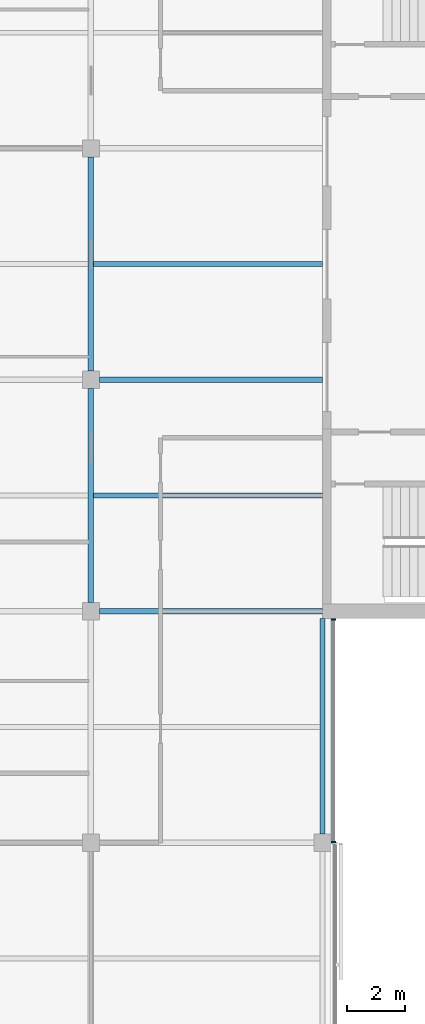
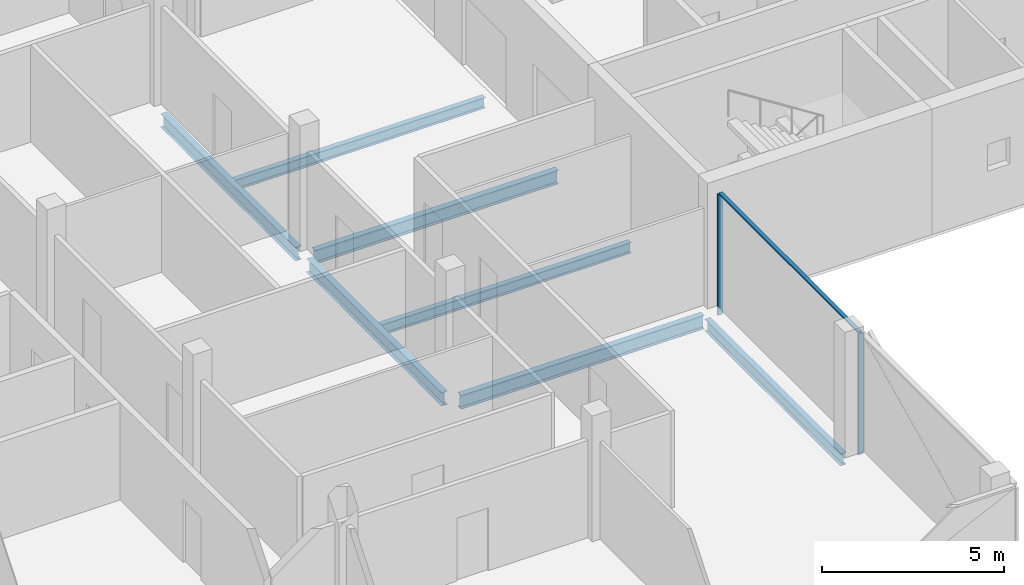
# One storey, part 4 of 16: 7 beams, 3 members, 1 element without a shape of its own.
"""IFC4 building model written with IfcOpenShell, lengths in metres."""

from ifc_helpers import new_model, si_unit, direction, frame, origin, origin_2d, place, context, subcontext, project, spatial, rectangle, i_section, extrude, material, material_profile, profile_set, type_object, element, aggregate, save


model = new_model("IFC4")

# Units and contexts
model_context = context("Model", 3, precision=1e-05, world=origin(), true_north=direction((0.0, 1.0)))
body_context = subcontext(model_context, "Body", "Model", "MODEL_VIEW")
ifc_project = project(units=[si_unit("LENGTHUNIT", "METRE"), si_unit("AREAUNIT", "SQUARE_METRE"), si_unit("VOLUMEUNIT", "CUBIC_METRE"), si_unit("PLANEANGLEUNIT", "RADIAN"), si_unit("MASSUNIT", "GRAM", prefix="KILO")], contexts=[model_context])

# Site, building, storey
site_placement = place(None, origin())
site = spatial("IfcSite", under=ifc_project, at=site_placement, CompositionType="ELEMENT")
building_placement = place(site_placement, origin())
building = spatial("IfcBuilding", under=site, at=building_placement, Name="Crosswind Convention Tower", CompositionType="ELEMENT")
storey_placement = place(building_placement, frame((0.0, 0.0, 299.699951171875)))
storey = spatial("IfcBuildingStorey", under=building, at=storey_placement, Name="L65", CompositionType="ELEMENT", Elevation=299.699951171875)

# Beams
ifc_material_1 = material(Name="Steel S355", Category="steel")
ifc_material_profile_1 = material_profile(ifc_material_1, i_section(OverallWidth=0.177734375, OverallDepth=0.406494140625, WebThickness=0.0078125, FlangeThickness=0.0126953125, FilletRadius=0.01025390625, at=origin_2d()), Name="UB 406x178x60")
ifc_profile_set_1 = profile_set([ifc_material_profile_1], Name="Steel S355")
beam_type_1 = type_object("IfcBeamType", Name="Edge beam UB 406x178x60", PredefinedType="SPANDREL", material=ifc_profile_set_1)
beam_placement = place(storey_placement, frame((137.0, 80.300048828125, -0.503173828125), z_axis=(0.0, 1.0, 0.0), x_axis=(-1.0, 0.0, 0.0)))
element("IfcBeam", 1, at=beam_placement, inside=storey, type_object=beam_type_1, Name="B15 L65 edge beam 12", PredefinedType="SPANDREL", context=body_context, shape_type="SweptSolid", body=[
    extrude(i_section(OverallWidth=0.177734375, OverallDepth=0.406494140625, WebThickness=0.0078125, FlangeThickness=0.0126953125, FilletRadius=0.01025390625, at=origin_2d()), origin(), (0.0, 0.0, 1.0), 7.449951171875),
])
ifc_material_profile_2 = material_profile(ifc_material_1, i_section(OverallWidth=0.18994140625, OverallDepth=0.45361328125, WebThickness=0.008544921875, FlangeThickness=0.0126953125, FilletRadius=0.01025390625, at=origin_2d()), Name="UB 457x191x67")
ifc_profile_set_2 = profile_set([ifc_material_profile_2], Name="Steel S355")
beam_type_2 = type_object("IfcBeamType", Name="Girder UB 457x191x67", PredefinedType="BEAM", material=ifc_profile_set_2)
for number, where, z_axis, x_axis, name in (
    (2, (129.0, 88.300048828125, -0.52685546875), (0.0, 1.0, 0.0), (-1.0, 0.0, 0.0), "B1 L65 girder 18"),
    (3, (129.0, 96.300048828125, -0.52685546875), (0.0, 1.0, 0.0), (-1.0, 0.0, 0.0), "B1 L65 girder 19"),
):
    element("IfcBeam", number, at=place(storey_placement, frame(where, z_axis=z_axis, x_axis=x_axis)), inside=storey, type_object=beam_type_2, Name=name, PredefinedType="BEAM", context=body_context, shape_type="SweptSolid", body=[
        extrude(i_section(OverallWidth=0.18994140625, OverallDepth=0.45361328125, WebThickness=0.008544921875, FlangeThickness=0.0126953125, FilletRadius=0.01025390625, at=origin_2d()), origin(), (0.0, 0.0, 1.0), 7.39990234375),
    ])
ifc_material_profile_3 = material_profile(ifc_material_1, i_section(OverallWidth=0.1904296875, OverallDepth=0.457275390625, WebThickness=0.009033203125, FlangeThickness=0.014404296875, FilletRadius=0.01025390625, at=origin_2d()), Name="UB 457x191x75")
ifc_profile_set_3 = profile_set([ifc_material_profile_3], Name="Steel S355")
beam_type_3 = type_object("IfcBeamType", Name="Girder at core wall UB 457x191x75", PredefinedType="BEAM", material=ifc_profile_set_3)
for number, where, z_axis, x_axis, name in (
    (4, (129.300048828125, 88.0, -0.528564453125), (1.0, 0.0, 0.0), (0.0, 1.0, 0.0), "B22 L65 girder at core wall 5"),
    (5, (129.300048828125, 96.0, -0.528564453125), (1.0, 0.0, 0.0), (0.0, 1.0, 0.0), "B22 L65 girder at core wall 6"),
):
    element("IfcBeam", number, at=place(storey_placement, frame(where, z_axis=z_axis, x_axis=x_axis)), inside=storey, type_object=beam_type_3, Name=name, PredefinedType="BEAM", context=body_context, shape_type="SweptSolid", body=[
        extrude(i_section(OverallWidth=0.1904296875, OverallDepth=0.457275390625, WebThickness=0.009033203125, FlangeThickness=0.014404296875, FilletRadius=0.01025390625, at=origin_2d()), origin(), (0.0, 0.0, 1.0), 7.699951171875),
    ])

# Curtain wall, members
ifc_material_2 = material(Name="Aluminium unitised curtain wall", Category="aluminium")
curtain_wall_type = type_object("IfcCurtainWallType", Name="CORE END SLOT WALL 160", PredefinedType="USERDEFINED", material=ifc_material_2)
curtain_wall_placement = place(storey_placement, origin())
curtain_wall = element("IfcCurtainWall", 6, at=curtain_wall_placement, inside=storey, type_object=curtain_wall_type, Name="CW6 L65 S-E.1-2 slot", ObjectType="UNITISED", PredefinedType="USERDEFINED")
ifc_material_3 = material(Name="Aluminium mullion", Category="aluminium")
ifc_material_profile_4 = material_profile(ifc_material_3, rectangle(XDim=0.159912109375, YDim=0.050048828125, at=origin_2d()), Name="AL 160X50")
ifc_profile_set_4 = profile_set([ifc_material_profile_4], Name="Aluminium mullion")
member_type_1 = type_object("IfcMemberType", Name="MULLION 50X160", PredefinedType="MULLION", material=ifc_profile_set_4)
member_1_placement = place(storey_placement, frame((137.3798828125, 80.02490234375, -0.300048828125), z_axis=(0.0, 0.0, 1.0), x_axis=(1.0, 0.0, 0.0)))
member_1 = element("IfcMember", 7, at=member_1_placement, type_object=member_type_1, Name="CW6 mullion 1", PredefinedType="MULLION", context=body_context, shape_type="SweptSolid", body=[
    extrude(rectangle(XDim=0.159912109375, YDim=0.050048828125, at=origin_2d()), origin(), (0.0, 0.0, 1.0), 4.050048828125),
])
member_2_placement = place(storey_placement, frame((137.3798828125, 87.72509765625, -0.300048828125), z_axis=(0.0, 0.0, 1.0), x_axis=(1.0, 0.0, 0.0)))
member_2 = element("IfcMember", 8, at=member_2_placement, type_object=member_type_1, Name="CW6 mullion 2", PredefinedType="MULLION", context=body_context, shape_type="SweptSolid", body=[
    extrude(rectangle(XDim=0.159912109375, YDim=0.050048828125, at=origin_2d()), origin(), (0.0, 0.0, 1.0), 4.050048828125),
])

# Beams
ifc_material_profile_5 = material_profile(ifc_material_1, i_section(OverallWidth=0.17138671875, OverallDepth=0.355712890625, WebThickness=0.00732421875, FlangeThickness=0.011474609375, FilletRadius=0.01025390625, at=origin_2d()), Name="UB 356x171x51")
ifc_profile_set_5 = profile_set([ifc_material_profile_5], Name="Steel S355")
beam_type_4 = type_object("IfcBeamType", Name="Secondary beam UB 356x171x51", PredefinedType="JOIST", material=ifc_profile_set_5)
for number, where, z_axis, x_axis, name in (
    (9, (129.094970703125, 92.0, -0.477783203125), (1.0, 0.0, 0.0), (0.0, 1.0, 0.0), "B8 L65 secondary beam 17"),
    (10, (129.094970703125, 100.0, -0.477783203125), (1.0, 0.0, 0.0), (0.0, 1.0, 0.0), "B8 L65 secondary beam 18"),
):
    element("IfcBeam", number, at=place(storey_placement, frame(where, z_axis=z_axis, x_axis=x_axis)), inside=storey, type_object=beam_type_4, Name=name, PredefinedType="JOIST", context=body_context, shape_type="SweptSolid", body=[
        extrude(i_section(OverallWidth=0.17138671875, OverallDepth=0.355712890625, WebThickness=0.00732421875, FlangeThickness=0.011474609375, FilletRadius=0.01025390625, at=origin_2d()), origin(), (0.0, 0.0, 1.0), 7.905029296875),
    ])

# Member
ifc_material_4 = material(Name="Aluminium transom", Category="aluminium")
ifc_material_profile_6 = material_profile(ifc_material_4, rectangle(XDim=0.1201171875, YDim=0.050048828125, at=origin_2d()), Name="AL 120X50")
ifc_profile_set_6 = profile_set([ifc_material_profile_6], Name="Aluminium transom")
member_type_2 = type_object("IfcMemberType", Name="TRANSOM 50X120", PredefinedType="USERDEFINED", material=ifc_profile_set_6)
member_3_placement = place(storey_placement, frame((137.3798828125, 80.050048828125, 3.775146484375), z_axis=(0.0, 1.0, 0.0), x_axis=(-1.0, 0.0, 0.0)))
member_3 = element("IfcMember", 11, at=member_3_placement, type_object=member_type_2, Name="CW6 transom", ObjectType="TRANSOM", PredefinedType="USERDEFINED", context=body_context, shape_type="SweptSolid", body=[
    extrude(rectangle(XDim=0.1201171875, YDim=0.050048828125, at=origin_2d()), origin(), (0.0, 0.0, 1.0), 7.64990234375),
])

aggregate(curtain_wall, [member_1, member_2, member_3])

save(model, "model.ifc")
